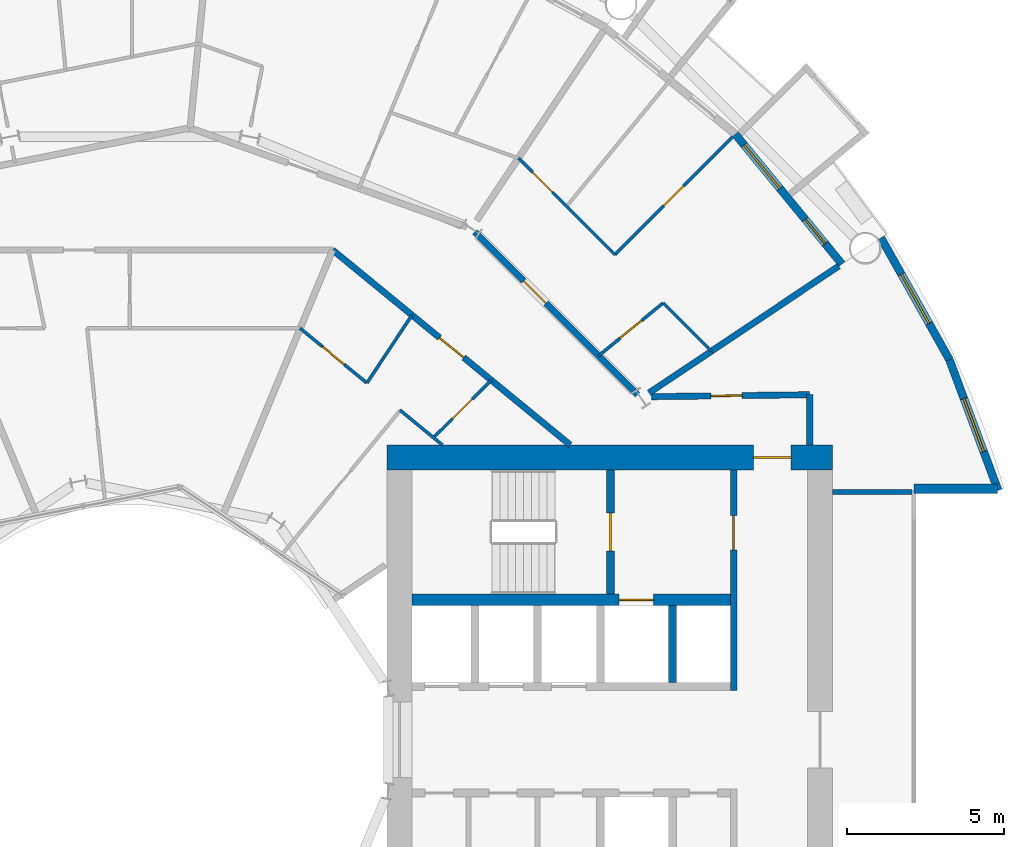
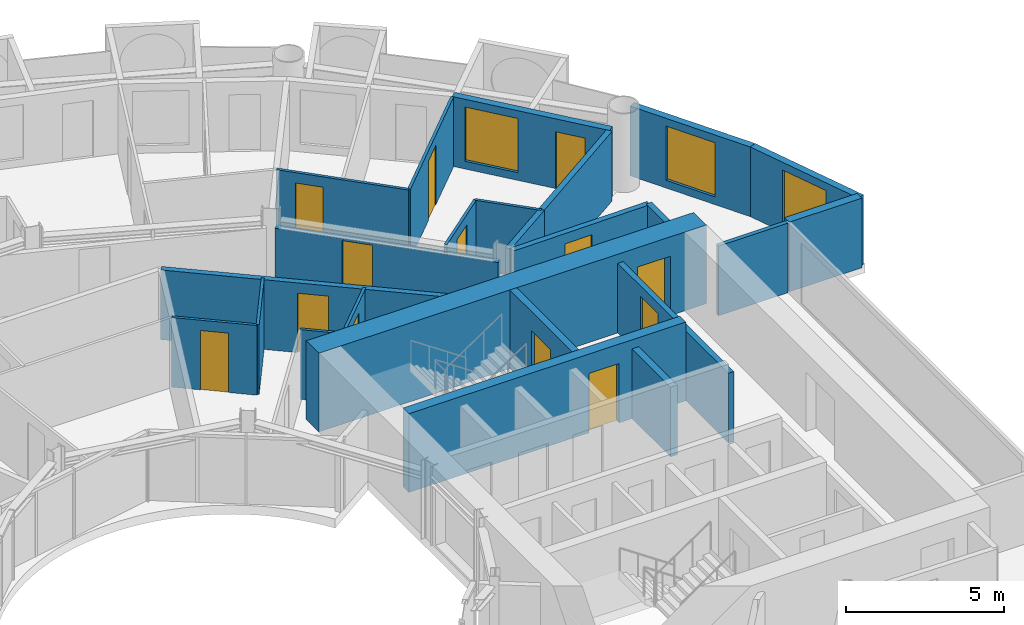
# One storey, part 21 of 26: 24 walls, 13 doors, 3 windows, 16 openings.
"""IFC4 building model written with IfcOpenShell, lengths in metres."""

from ifc_helpers import new_model, si_unit, direction, frame, frame_2d, origin, place, context, subcontext, project, spatial, rectangle, extrude, material, layer, layer_set, type_object, element, fill, save


model = new_model("IFC4")

# Units and contexts
model_context = context("Model", 3, precision=1e-05, world=origin(), true_north=direction((0.0, 1.0)))
body_context = subcontext(model_context, "Body", "Model", "MODEL_VIEW")
ifc_project = project(units=[si_unit("LENGTHUNIT", "METRE"), si_unit("AREAUNIT", "SQUARE_METRE"), si_unit("VOLUMEUNIT", "CUBIC_METRE"), si_unit("PLANEANGLEUNIT", "RADIAN"), si_unit("MASSUNIT", "GRAM", prefix="KILO")], contexts=[model_context])

# Site, building, storey
site_placement = place(None, origin())
site = spatial("IfcSite", under=ifc_project, at=site_placement, CompositionType="ELEMENT")
building_placement = place(site_placement, origin())
building = spatial("IfcBuilding", under=site, at=building_placement, Name="Maasbend Ring Residences", CompositionType="ELEMENT")
storey_placement = place(building_placement, frame((0.0, 0.0, 38.050048828125)))
storey = spatial("IfcBuildingStorey", under=building, at=storey_placement, Name="L10", CompositionType="ELEMENT", Elevation=38.050048828125)

# Wall, opening, door
ifc_material_1 = material(Name="Concrete C70/85", Category="concrete")
ifc_layer_1 = layer(ifc_material_1, 0.25)
ifc_layer_set_1 = layer_set([ifc_layer_1], Name="Concrete C70/85")
wall_type_1 = type_object("IfcWallType", Name="CORE WALL 250 C70/85", PredefinedType="SHEAR", material=ifc_layer_set_1)
wall_1_placement = place(storey_placement, frame((15.324951171875, 4.64990234375, 0.0), z_axis=(0.0, 0.0, 1.0), x_axis=(0.0, 1.0, 0.0)))
wall_1 = element("IfcWall", 1, at=wall_1_placement, inside=storey, type_object=wall_type_1, Name="L10 core E wall STEN", PredefinedType="SHEAR", context=body_context, shape_type="SweptSolid", body=[
    extrude(rectangle(XDim=3.9501953125, YDim=0.25, at=frame_2d((1.97509765625, 0.0))), origin(), (0.0, 0.0, 1.0), 3.050048828125),
])
opening_1_placement = place(wall_1_placement, frame((1.375, 0.0, 0.0)))
opening_1 = element("IfcOpeningElement", 2, at=opening_1_placement, cuts=wall_1, Name="Opening D-E1011", PredefinedType="OPENING", context=body_context, shape_type="SweptSolid", body=[
    extrude(rectangle(XDim=1.199951171875, YDim=2.300048828125, at=frame_2d((0.60009765625, 1.14990234375))), frame((0.0, 0.135009765625, 0.0), z_axis=(0.0, -1.0, 0.0), x_axis=(1.0, 0.0, 0.0)), (0.0, 0.0, 1.0), 0.27001953125),
])
ifc_material_2 = material(Name="Steel, powder coated", Category="steel")
door_type_1 = type_object("IfcDoorType", Name="STAIR DOOR 1200 X 2300 FD60", OperationType="NOTDEFINED", PredefinedType="DOOR", material=ifc_material_2)
door_1_placement = place(opening_1_placement, origin())
door_1 = element("IfcDoor", 3, at=door_1_placement, inside=storey, type_object=door_type_1, Name="Stair door ST-E L10", OperationType="SINGLE_SWING_LEFT", OverallHeight=2.300048828125, OverallWidth=1.199951171875, PredefinedType="DOOR", context=body_context, shape_type="SweptSolid", body=[
    extrude(rectangle(XDim=1.199951171875, YDim=2.300048828125, at=frame_2d((0.60009765625, 1.14990234375))), frame((0.0, 0.02490234375, 0.0), z_axis=(0.0, -1.0, 0.0), x_axis=(1.0, 0.0, 0.0)), (0.0, 0.0, 1.0), 0.050048828125),
])
fill(opening_1, door_1)

ifc_material_3 = material(Name="Concrete C70/85", Category="concrete")
ifc_layer_2 = layer(ifc_material_3, 0.375)
ifc_layer_set_2 = layer_set([ifc_layer_2], Name="Concrete C70/85")
wall_type_2 = type_object("IfcWallType", Name="CORE WALL 375 C70/85", PredefinedType="SHEAR", material=ifc_layer_set_2)
wall_2_placement = place(storey_placement, frame((9.0, 4.46240234375, 0.0), z_axis=(0.0, 0.0, 1.0), x_axis=(1.0, 0.0, 0.0)))
wall_2 = element("IfcWall", 4, at=wall_2_placement, inside=storey, type_object=wall_type_2, Name="L10 core E wall BN", PredefinedType="SHEAR", context=body_context, shape_type="SweptSolid", body=[
    extrude(rectangle(XDim=10.14990234375, YDim=0.375, at=frame_2d((5.074951171875, 0.0))), origin(), (0.0, 0.0, 1.0), 3.050048828125),
])
opening_2_placement = place(wall_2_placement, frame((6.60009765625, 0.0, 0.0)))
opening_2 = element("IfcOpeningElement", 5, at=opening_2_placement, cuts=wall_2, Name="Opening LD-E1004", PredefinedType="OPENING", context=body_context, shape_type="SweptSolid", body=[
    extrude(rectangle(XDim=1.10009765625, YDim=2.300048828125, at=frame_2d((0.550048828125, 1.14990234375))), frame((0.0, 0.197509765625, 0.0), z_axis=(0.0, -1.0, 0.0), x_axis=(1.0, 0.0, 0.0)), (0.0, 0.0, 1.0), 0.39501953125),
])
ifc_material_4 = material(Name="Stainless steel 316", Category="steel")
door_type_2 = type_object("IfcDoorType", Name="LANDING DOOR 1100 X 2300 FD60", OperationType="DOUBLE_DOOR_SLIDING", PredefinedType="DOOR", material=ifc_material_4)
door_2_placement = place(opening_2_placement, origin())
door_2 = element("IfcDoor", 6, at=door_2_placement, inside=storey, type_object=door_type_2, Name="Landing door FF-E L10", OperationType="DOUBLE_DOOR_SLIDING", OverallHeight=2.300048828125, OverallWidth=1.10009765625, PredefinedType="DOOR", context=body_context, shape_type="SweptSolid", body=[
    extrude(rectangle(XDim=1.10009765625, YDim=2.300048828125, at=frame_2d((0.550048828125, 1.14990234375))), frame((0.0, 0.02490234375, 0.0), z_axis=(0.0, -1.0, 0.0), x_axis=(1.0, 0.0, 0.0)), (0.0, 0.0, 1.0), 0.050048828125),
])
fill(opening_2, door_2)

ifc_material_5 = material(Name="Concrete C70/85", Category="concrete")
ifc_layer_3 = layer(ifc_material_5, 0.800048828125)
ifc_layer_set_3 = layer_set([ifc_layer_3], Name="Concrete C70/85")
wall_type_3 = type_object("IfcWallType", Name="CORE WALL 800 C70/85", PredefinedType="SHEAR", material=ifc_layer_set_3)
wall_3_placement = place(storey_placement, frame((22.39990234375, 9.0, 0.0), z_axis=(0.0, 0.0, 1.0), x_axis=(-1.0, 0.0, 0.0)))
wall_3 = element("IfcWall", 7, at=wall_3_placement, inside=storey, type_object=wall_type_3, Name="L10 core E wall PN", PredefinedType="SHEAR", context=body_context, shape_type="SweptSolid", body=[
    extrude(rectangle(XDim=14.199951171875, YDim=0.800048828125, at=frame_2d((7.10009765625, 0.0))), origin(), (0.0, 0.0, 1.0), 3.050048828125),
])
opening_3_placement = place(wall_3_placement, frame((1.324951171875, 0.0, 0.0)))
opening_3 = element("IfcOpeningElement", 8, at=opening_3_placement, cuts=wall_3, Name="Opening D-E1015", PredefinedType="OPENING", context=body_context, shape_type="SweptSolid", body=[
    extrude(rectangle(XDim=1.199951171875, YDim=2.300048828125, at=frame_2d((0.60009765625, 1.14990234375))), frame((0.0, 0.41015625, 0.0), z_axis=(0.0, -1.0, 0.0), x_axis=(1.0, 0.0, 0.0)), (0.0, 0.0, 1.0), 0.820068359375),
])
ifc_material_6 = material(Name="Steel, powder coated", Category="steel")
door_type_3 = type_object("IfcDoorType", Name="CORRIDOR DOOR 1200 X 2300 FD30S", OperationType="NOTDEFINED", PredefinedType="DOOR", material=ifc_material_6)
door_3_placement = place(opening_3_placement, origin())
door_3 = element("IfcDoor", 9, at=door_3_placement, inside=storey, type_object=door_type_3, Name="Corridor door L10", OperationType="SINGLE_SWING_RIGHT", OverallHeight=2.300048828125, OverallWidth=1.199951171875, PredefinedType="DOOR", context=body_context, shape_type="SweptSolid", body=[
    extrude(rectangle(XDim=1.199951171875, YDim=2.300048828125, at=frame_2d((0.60009765625, 1.14990234375))), frame((0.0, 0.02490234375, 0.0), z_axis=(0.0, -1.0, 0.0), x_axis=(1.0, 0.0, 0.0)), (0.0, 0.0, 1.0), 0.050048828125),
])
fill(opening_3, door_3)

# Wall
ifc_material_7 = material(Name="Concrete C30/37", Category="concrete")
ifc_layer_4 = layer(ifc_material_7, 0.199951171875)
ifc_layer_set_4 = layer_set([ifc_layer_4], Name="Concrete C30/37")
wall_type_4 = type_object("IfcWallType", Name="CORRIDOR WALL 200 CONCRETE", PredefinedType="PARTITIONING", material=ifc_layer_set_4)
wall_4_placement = place(storey_placement, frame((21.675048828125, 9.39990234375, 0.0), z_axis=(0.0, 0.0, 1.0), x_axis=(0.0, 1.0, 0.0)))
element("IfcWall", 10, at=wall_4_placement, inside=storey, type_object=wall_type_4, Name="U-L10-w004", PredefinedType="PARTITIONING", context=body_context, shape_type="SweptSolid", body=[
    extrude(rectangle(XDim=1.60009765625, YDim=0.199951171875, at=frame_2d((0.800048828125, 0.0))), origin(), (0.0, 0.0, 1.0), 2.699951171875),
])

# Wall, opening, door
wall_5_placement = place(storey_placement, frame((16.636962890625, 10.93798828125, 0.0), z_axis=(0.0, 0.0, 1.0), x_axis=(0.99992425795, 0.012307654658, 0.0)))
wall_5 = element("IfcWall", 11, at=wall_5_placement, inside=storey, type_object=wall_type_4, Name="U-L10-w094", PredefinedType="PARTITIONING", context=body_context, shape_type="SweptSolid", body=[
    extrude(rectangle(XDim=5.03857421875, YDim=0.199951171875, at=frame_2d((2.519287109375, 0.0))), origin(), (0.0, 0.0, 1.0), 2.699951171875),
])
opening_4_placement = place(wall_5_placement, frame((1.884033203125, 0.0, 0.0)))
opening_4 = element("IfcOpeningElement", 12, at=opening_4_placement, cuts=wall_5, Name="Opening D-1068", PredefinedType="OPENING", context=body_context, shape_type="SweptSolid", body=[
    extrude(rectangle(XDim=1.0, YDim=2.300048828125, at=frame_2d((0.5, 1.14990234375))), frame((0.0, 0.10986328125, 0.0), z_axis=(0.0, -1.0, 0.0), x_axis=(1.0, 0.0, 0.0)), (0.0, 0.0, 1.0), 0.219970703125),
])
ifc_material_8 = material(Name="Timber, painted", Category="wood")
door_type_4 = type_object("IfcDoorType", Name="ROOM DOOR 1000 X 2300", OperationType="NOTDEFINED", PredefinedType="DOOR", material=ifc_material_8)
door_4_placement = place(opening_4_placement, origin())
door_4 = element("IfcDoor", 13, at=door_4_placement, inside=storey, type_object=door_type_4, Name="D-1068", OperationType="SINGLE_SWING_LEFT", OverallHeight=2.300048828125, OverallWidth=1.0, PredefinedType="DOOR", context=body_context, shape_type="SweptSolid", body=[
    extrude(rectangle(XDim=1.0, YDim=2.300048828125, at=frame_2d((0.5, 1.14990234375))), frame((0.0, 0.02490234375, 0.0), z_axis=(0.0, -1.0, 0.0), x_axis=(1.0, 0.0, 0.0)), (0.0, 0.0, 1.0), 0.050048828125),
])
fill(opening_4, door_4)

wall_6_placement = place(storey_placement, frame((6.468994140625, 15.613037109375, 0.0), z_axis=(0.0, 0.0, 1.0), x_axis=(0.77298340166, -0.634426245326, 0.0)))
wall_6 = element("IfcWall", 14, at=wall_6_placement, inside=storey, type_object=wall_type_4, Name="U-L10-w104", PredefinedType="PARTITIONING", context=body_context, shape_type="SweptSolid", body=[
    extrude(rectangle(XDim=9.793212890625, YDim=0.199951171875, at=frame_2d((4.896484375, 0.0))), origin(), (0.0, 0.0, 1.0), 2.699951171875),
])
opening_5_placement = place(wall_6_placement, frame((4.404052734375, 0.0, 0.0)))
opening_5 = element("IfcOpeningElement", 15, at=opening_5_placement, cuts=wall_6, Name="Opening D-1021", PredefinedType="OPENING", context=body_context, shape_type="SweptSolid", body=[
    extrude(rectangle(XDim=1.0, YDim=2.300048828125, at=frame_2d((0.5, 1.14990234375))), frame((0.0, 0.10986328125, 0.0), z_axis=(0.0, -1.0, 0.0), x_axis=(1.0, 0.0, 0.0)), (0.0, 0.0, 1.0), 0.219970703125),
])
ifc_material_9 = material(Name="Timber, fire-rated, painted", Category="wood")
door_type_5 = type_object("IfcDoorType", Name="FLAT ENTRANCE DOOR 1000 X 2300 FIRE-RATED", OperationType="NOTDEFINED", PredefinedType="DOOR", material=ifc_material_9)
door_5_placement = place(opening_5_placement, origin())
door_5 = element("IfcDoor", 16, at=door_5_placement, inside=storey, type_object=door_type_5, Name="D-1021", OperationType="SINGLE_SWING_RIGHT", OverallHeight=2.300048828125, OverallWidth=1.0, PredefinedType="DOOR", context=body_context, shape_type="SweptSolid", body=[
    extrude(rectangle(XDim=1.0, YDim=2.300048828125, at=frame_2d((0.5, 1.14990234375))), frame((0.0, 0.02490234375, 0.0), z_axis=(0.0, -1.0, 0.0), x_axis=(1.0, 0.0, 0.0)), (0.0, 0.0, 1.0), 0.050048828125),
])
fill(opening_5, door_5)

wall_7_placement = place(storey_placement, frame((10.9990234375, 16.18701171875, 0.0), z_axis=(0.0, 0.0, 1.0), x_axis=(0.707106781187, -0.707106781187, 0.0)))
wall_7 = element("IfcWall", 17, at=wall_7_placement, inside=storey, type_object=wall_type_4, Name="U-L10-w108", PredefinedType="PARTITIONING", context=body_context, shape_type="SweptSolid", body=[
    extrude(rectangle(XDim=7.3369140625, YDim=0.199951171875, at=frame_2d((3.66845703125, 0.0))), origin(), (0.0, 0.0, 1.0), 2.3798828125),
])
opening_6_placement = place(wall_7_placement, frame((2.2119140625, 0.0, 0.0)))
opening_6 = element("IfcOpeningElement", 18, at=opening_6_placement, cuts=wall_7, Name="Opening D-1001", PredefinedType="OPENING", context=body_context, shape_type="SweptSolid", body=[
    extrude(rectangle(XDim=1.0, YDim=2.300048828125, at=frame_2d((0.5, 1.14990234375))), frame((0.0, 0.10986328125, 0.0), z_axis=(0.0, -1.0, 0.0), x_axis=(1.0, 0.0, 0.0)), (0.0, 0.0, 1.0), 0.219970703125),
])
door_6_placement = place(opening_6_placement, origin())
door_6 = element("IfcDoor", 19, at=door_6_placement, inside=storey, type_object=door_type_5, Name="D-1001", OperationType="SINGLE_SWING_LEFT", OverallHeight=2.300048828125, OverallWidth=1.0, PredefinedType="DOOR", context=body_context, shape_type="SweptSolid", body=[
    extrude(rectangle(XDim=1.0, YDim=2.300048828125, at=frame_2d((0.5, 1.14990234375))), frame((0.0, 0.02490234375, 0.0), z_axis=(0.0, -1.0, 0.0), x_axis=(1.0, 0.0, 0.0)), (0.0, 0.0, 1.0), 0.050048828125),
])
fill(opening_6, door_6)

# Wall, openings, door, window
ifc_material_10 = material(Name="Aluminium clad insulated panel", Category="aluminium")
ifc_layer_5 = layer(ifc_material_10, 0.25)
ifc_layer_set_5 = layer_set([ifc_layer_5], Name="EW-GL")
wall_type_5 = type_object("IfcWallType", Name="EW-GL", PredefinedType="SOLIDWALL", material=ifc_layer_set_5)
wall_8_placement = place(storey_placement, frame((22.698974609375, 15.1669921875, 0.0), z_axis=(0.0, 0.0, 1.0), x_axis=(-0.634382322723, 0.773019449054, 0.0)))
wall_8 = element("IfcWall", 20, at=wall_8_placement, inside=storey, type_object=wall_type_5, Name="External wall N01", PredefinedType="SOLIDWALL", context=body_context, shape_type="SweptSolid", body=[
    extrude(rectangle(XDim=5.351806640625, YDim=0.25, at=frame_2d((2.67578125, 0.0))), origin(), (0.0, 0.0, 1.0), 2.699951171875),
])
opening_7_placement = place(wall_8_placement, frame((0.841064453125, 0.0, 0.0)))
opening_7 = element("IfcOpeningElement", 21, at=opening_7_placement, cuts=wall_8, Name="Opening D-LG", PredefinedType="OPENING", context=body_context, shape_type="SweptSolid", body=[
    extrude(rectangle(XDim=1.0, YDim=2.199951171875, at=frame_2d((0.5, 1.10009765625))), frame((0.0, 0.135009765625, 0.0), z_axis=(0.0, -1.0, 0.0), x_axis=(1.0, 0.0, 0.0)), (0.0, 0.0, 1.0), 0.27001953125),
])
opening_8_placement = place(wall_8_placement, frame((3.110595703125, 0.0, 0.300048828125)))
opening_8 = element("IfcOpeningElement", 22, at=opening_8_placement, cuts=wall_8, Name="Opening W-BX", PredefinedType="OPENING", context=body_context, shape_type="SweptSolid", body=[
    extrude(rectangle(XDim=1.800048828125, YDim=2.10009765625, at=frame_2d((0.89990234375, 1.050048828125))), frame((0.0, 0.135009765625, 0.0), z_axis=(0.0, -1.0, 0.0), x_axis=(1.0, 0.0, 0.0)), (0.0, 0.0, 1.0), 0.27001953125),
])
ifc_material_11 = material(Name="Aluminium and clear glass", Category="aluminium")
door_type_6 = type_object("IfcDoorType", Name="D-LG", OperationType="SINGLE_SWING_LEFT", PredefinedType="DOOR", material=ifc_material_11)
door_7_placement = place(opening_7_placement, origin())
door_7 = element("IfcDoor", 23, at=door_7_placement, inside=storey, type_object=door_type_6, Name="Loggia door N01", OperationType="SINGLE_SWING_LEFT", OverallHeight=2.199951171875, OverallWidth=1.0, PredefinedType="DOOR", context=body_context, shape_type="SweptSolid", body=[
    extrude(rectangle(XDim=1.0, YDim=2.199951171875, at=frame_2d((0.5, 1.10009765625))), frame((0.0, 0.02490234375, 0.0), z_axis=(0.0, -1.0, 0.0), x_axis=(1.0, 0.0, 0.0)), (0.0, 0.0, 1.0), 0.050048828125),
])
fill(opening_7, door_7)
ifc_material_12 = material(Name="Aluminium and clear glass", Category="aluminium")
window_type = type_object("IfcWindowType", Name="W-BX", PartitioningType="DOUBLE_PANEL_VERTICAL", PredefinedType="WINDOW", material=ifc_material_12)
window_1_placement = place(opening_8_placement, origin())
window_1 = element("IfcWindow", 24, at=window_1_placement, inside=storey, type_object=window_type, Name="Window N02 room to box", OverallHeight=2.10009765625, OverallWidth=1.800048828125, PartitioningType="SINGLE_PANEL", PredefinedType="WINDOW", context=body_context, shape_type="SweptSolid", body=[
    extrude(rectangle(XDim=1.800048828125, YDim=2.10009765625, at=frame_2d((0.89990234375, 1.050048828125))), frame((0.0, 0.030029296875, 0.0), z_axis=(0.0, -1.0, 0.0), x_axis=(1.0, 0.0, 0.0)), (0.0, 0.0, 1.0), 0.06005859375),
])
fill(opening_8, window_1)

# Wall, opening, window
ifc_material_13 = material(Name="Aluminium clad insulated panel", Category="aluminium")
ifc_layer_6 = layer(ifc_material_13, 0.25)
ifc_layer_set_6 = layer_set([ifc_layer_6], Name="EW-HORN")
wall_type_6 = type_object("IfcWallType", Name="EW-HORN", PredefinedType="SOLIDWALL", material=ifc_layer_set_6)
wall_9_placement = place(storey_placement, frame((27.681884765625, 7.945068359375, 0.0), z_axis=(0.0, 0.0, 1.0), x_axis=(-0.349247811493, 0.937030397675, 0.0)))
wall_9 = element("IfcWall", 25, at=wall_9_placement, inside=storey, type_object=wall_type_6, Name="Horn wall 1.1", PredefinedType="SOLIDWALL", context=body_context, shape_type="SweptSolid", body=[
    extrude(rectangle(XDim=4.4521484375, YDim=0.25, at=frame_2d((2.22607421875, 0.0))), origin(), (0.0, 0.0, 1.0), 2.699951171875),
])
opening_9_placement = place(wall_9_placement, frame((1.32666015625, 0.0, 0.300048828125)))
opening_9 = element("IfcOpeningElement", 26, at=opening_9_placement, cuts=wall_9, Name="Opening W-BX", PredefinedType="OPENING", context=body_context, shape_type="SweptSolid", body=[
    extrude(rectangle(XDim=1.800048828125, YDim=2.10009765625, at=frame_2d((0.89990234375, 1.050048828125))), frame((0.0, 0.135009765625, 0.0), z_axis=(0.0, -1.0, 0.0), x_axis=(1.0, 0.0, 0.0)), (0.0, 0.0, 1.0), 0.27001953125),
])
window_2_placement = place(opening_9_placement, origin())
window_2 = element("IfcWindow", 27, at=window_2_placement, inside=storey, type_object=window_type, Name="Horn window 1.1", OverallHeight=2.10009765625, OverallWidth=1.800048828125, PartitioningType="SINGLE_PANEL", PredefinedType="WINDOW", context=body_context, shape_type="SweptSolid", body=[
    extrude(rectangle(XDim=1.800048828125, YDim=2.10009765625, at=frame_2d((0.89990234375, 1.050048828125))), frame((0.0, 0.030029296875, 0.0), z_axis=(0.0, -1.0, 0.0), x_axis=(1.0, 0.0, 0.0)), (0.0, 0.0, 1.0), 0.06005859375),
])
fill(opening_9, window_2)

wall_10_placement = place(storey_placement, frame((26.126953125, 12.116943359375, 0.0), z_axis=(0.0, 0.0, 1.0), x_axis=(-0.489696356642, 0.871893042919, 0.0)))
wall_10 = element("IfcWall", 28, at=wall_10_placement, inside=storey, type_object=wall_type_6, Name="Horn wall 1.2", PredefinedType="SOLIDWALL", context=body_context, shape_type="SweptSolid", body=[
    extrude(rectangle(XDim=4.45361328125, YDim=0.25, at=frame_2d((2.226806640625, 0.0))), origin(), (0.0, 0.0, 1.0), 2.699951171875),
])
opening_10_placement = place(wall_10_placement, frame((1.32666015625, 0.0, 0.300048828125)))
opening_10 = element("IfcOpeningElement", 29, at=opening_10_placement, cuts=wall_10, Name="Opening W-BX", PredefinedType="OPENING", context=body_context, shape_type="SweptSolid", body=[
    extrude(rectangle(XDim=1.800048828125, YDim=2.10009765625, at=frame_2d((0.89990234375, 1.050048828125))), frame((0.0, 0.135009765625, 0.0), z_axis=(0.0, -1.0, 0.0), x_axis=(1.0, 0.0, 0.0)), (0.0, 0.0, 1.0), 0.27001953125),
])
window_3_placement = place(opening_10_placement, origin())
window_3 = element("IfcWindow", 30, at=window_3_placement, inside=storey, type_object=window_type, Name="Horn window 1.2", OverallHeight=2.10009765625, OverallWidth=1.800048828125, PartitioningType="SINGLE_PANEL", PredefinedType="WINDOW", context=body_context, shape_type="SweptSolid", body=[
    extrude(rectangle(XDim=1.800048828125, YDim=2.10009765625, at=frame_2d((0.89990234375, 1.050048828125))), frame((0.0, 0.030029296875, 0.0), z_axis=(0.0, -1.0, 0.0), x_axis=(1.0, 0.0, 0.0)), (0.0, 0.0, 1.0), 0.06005859375),
])
fill(opening_10, window_3)

# Walls
ifc_material_14 = material(Name="Aluminium clad insulated panel", Category="aluminium")
ifc_layer_7 = layer(ifc_material_14, 0.300048828125)
ifc_layer_set_7 = layer_set([ifc_layer_7], Name="EW-RET")
wall_type_7 = type_object("IfcWallType", Name="EW-RET", PredefinedType="SOLIDWALL", material=ifc_layer_set_7)
wall_11_placement = place(storey_placement, frame((25.0, 8.0, 0.0), z_axis=(0.0, 0.0, 1.0), x_axis=(1.0, 0.0, 0.0)))
element("IfcWall", 31, at=wall_11_placement, inside=storey, type_object=wall_type_7, Name="Notch return wall east north", PredefinedType="SOLIDWALL", context=body_context, shape_type="SweptSolid", body=[
    extrude(rectangle(XDim=2.6669921875, YDim=0.300048828125, at=frame_2d((1.33349609375, 0.0))), origin(), (0.0, 0.0, 1.0), 2.699951171875),
])
ifc_material_15 = material(Name="Gypsum board on steel studs", Category="steel")
ifc_layer_8 = layer(ifc_material_15, 0.10009765625)
ifc_layer_set_8 = layer_set([ifc_layer_8], Name="PARTITION 100 GYPSUM")
wall_type_8 = type_object("IfcWallType", Name="PARTITION 100 GYPSUM", PredefinedType="PARTITIONING", material=ifc_layer_set_8)
wall_12_placement = place(storey_placement, frame((7.56005859375, 11.375, 0.0), z_axis=(0.0, 0.0, 1.0), x_axis=(0.553354377247, 0.83294593653, 0.0)))
element("IfcWall", 32, at=wall_12_placement, inside=storey, type_object=wall_type_8, Name="U-L10-w076", PredefinedType="PARTITIONING", context=body_context, shape_type="SweptSolid", body=[
    extrude(rectangle(XDim=2.596923828125, YDim=0.10009765625, at=frame_2d((1.29833984375, 0.0))), origin(), (0.0, 0.0, 1.0), 2.699951171875),
])

# Wall, opening, door
wall_13_placement = place(storey_placement, frame((9.68310546875, 9.632080078125, 0.0), z_axis=(0.0, 0.0, 1.0), x_axis=(0.708796844581, 0.705412668665, 0.0)))
wall_13 = element("IfcWall", 33, at=wall_13_placement, inside=storey, type_object=wall_type_8, Name="U-L10-w079", PredefinedType="PARTITIONING", context=body_context, shape_type="SweptSolid", body=[
    extrude(rectangle(XDim=2.59716796875, YDim=0.10009765625, at=frame_2d((1.298583984375, 0.0))), origin(), (0.0, 0.0, 1.0), 2.699951171875),
])
opening_11_placement = place(wall_13_placement, frame((0.84912109375, 0.0, 0.0)))
opening_11 = element("IfcOpeningElement", 34, at=opening_11_placement, cuts=wall_13, Name="Opening D-1023", PredefinedType="OPENING", context=body_context, shape_type="SweptSolid", body=[
    extrude(rectangle(XDim=0.89990234375, YDim=2.300048828125, at=frame_2d((0.449951171875, 1.14990234375))), frame((0.0, 0.06005859375, 0.0), z_axis=(0.0, -1.0, 0.0), x_axis=(1.0, 0.0, 0.0)), (0.0, 0.0, 1.0), 0.1201171875),
])
ifc_material_16 = material(Name="Timber, painted", Category="wood")
door_type_7 = type_object("IfcDoorType", Name="INTERNAL DOOR 900 X 2300", OperationType="NOTDEFINED", PredefinedType="DOOR", material=ifc_material_16)
door_8_placement = place(opening_11_placement, origin())
door_8 = element("IfcDoor", 35, at=door_8_placement, inside=storey, type_object=door_type_7, Name="D-1023", OperationType="SINGLE_SWING_LEFT", OverallHeight=2.300048828125, OverallWidth=0.89990234375, PredefinedType="DOOR", context=body_context, shape_type="SweptSolid", body=[
    extrude(rectangle(XDim=0.89990234375, YDim=2.300048828125, at=frame_2d((0.449951171875, 1.14990234375))), frame((0.0, 0.02490234375, 0.0), z_axis=(0.0, -1.0, 0.0), x_axis=(1.0, 0.0, 0.0)), (0.0, 0.0, 1.0), 0.050048828125),
])
fill(opening_11, door_8)

wall_14_placement = place(storey_placement, frame((14.945068359375, 12.240966796875, 0.0), z_axis=(0.0, 0.0, 1.0), x_axis=(0.77367517848, 0.633582447834, 0.0)))
wall_14 = element("IfcWall", 36, at=wall_14_placement, inside=storey, type_object=wall_type_8, Name="U-L10-w087", PredefinedType="PARTITIONING", context=body_context, shape_type="SweptSolid", body=[
    extrude(rectangle(XDim=2.6611328125, YDim=0.10009765625, at=frame_2d((1.33056640625, 0.0))), origin(), (0.0, 0.0, 1.0), 2.699951171875),
])
opening_12_placement = place(wall_14_placement, frame((0.881103515625, 0.0, 0.0)))
opening_12 = element("IfcOpeningElement", 37, at=opening_12_placement, cuts=wall_14, Name="Opening D-1002", PredefinedType="OPENING", context=body_context, shape_type="SweptSolid", body=[
    extrude(rectangle(XDim=0.89990234375, YDim=2.300048828125, at=frame_2d((0.449951171875, 1.14990234375))), frame((0.0, 0.06005859375, 0.0), z_axis=(0.0, -1.0, 0.0), x_axis=(1.0, 0.0, 0.0)), (0.0, 0.0, 1.0), 0.1201171875),
])
door_9_placement = place(opening_12_placement, origin())
door_9 = element("IfcDoor", 38, at=door_9_placement, inside=storey, type_object=door_type_7, Name="D-1002", OperationType="SINGLE_SWING_LEFT", OverallHeight=2.300048828125, OverallWidth=0.89990234375, PredefinedType="DOOR", context=body_context, shape_type="SweptSolid", body=[
    extrude(rectangle(XDim=0.89990234375, YDim=2.300048828125, at=frame_2d((0.449951171875, 1.14990234375))), frame((0.0, 0.02490234375, 0.0), z_axis=(0.0, -1.0, 0.0), x_axis=(1.0, 0.0, 0.0)), (0.0, 0.0, 1.0), 0.050048828125),
])
fill(opening_12, door_9)

wall_15_placement = place(storey_placement, frame((15.465087890625, 15.465087890625, 0.0), z_axis=(0.0, 0.0, 1.0), x_axis=(0.707106781187, 0.707106781187, 0.0)))
wall_15 = element("IfcWall", 39, at=wall_15_placement, inside=storey, type_object=wall_type_8, Name="U-L10-w088", PredefinedType="PARTITIONING", context=body_context, shape_type="SweptSolid", body=[
    extrude(rectangle(XDim=5.3046875, YDim=0.10009765625, at=frame_2d((2.65234375, 0.0))), origin(), (0.0, 0.0, 1.0), 2.699951171875),
])
opening_13_placement = place(wall_15_placement, frame((2.201904296875, 0.0, 0.0)))
opening_13 = element("IfcOpeningElement", 40, at=opening_13_placement, cuts=wall_15, Name="Opening D-1003", PredefinedType="OPENING", context=body_context, shape_type="SweptSolid", body=[
    extrude(rectangle(XDim=0.89990234375, YDim=2.300048828125, at=frame_2d((0.449951171875, 1.14990234375))), frame((0.0, 0.06005859375, 0.0), z_axis=(0.0, -1.0, 0.0), x_axis=(1.0, 0.0, 0.0)), (0.0, 0.0, 1.0), 0.1201171875),
])
door_10_placement = place(opening_13_placement, origin())
door_10 = element("IfcDoor", 41, at=door_10_placement, inside=storey, type_object=door_type_7, Name="D-1003", OperationType="SINGLE_SWING_RIGHT", OverallHeight=2.300048828125, OverallWidth=0.89990234375, PredefinedType="DOOR", context=body_context, shape_type="SweptSolid", body=[
    extrude(rectangle(XDim=0.89990234375, YDim=2.300048828125, at=frame_2d((0.449951171875, 1.14990234375))), frame((0.0, 0.02490234375, 0.0), z_axis=(0.0, -1.0, 0.0), x_axis=(1.0, 0.0, 0.0)), (0.0, 0.0, 1.0), 0.050048828125),
])
fill(opening_13, door_10)

wall_16_placement = place(storey_placement, frame((5.427001953125, 13.12109375, 0.0), z_axis=(0.0, 0.0, 1.0), x_axis=(0.773323547924, -0.634011585246, 0.0)))
wall_16 = element("IfcWall", 42, at=wall_16_placement, inside=storey, type_object=wall_type_8, Name="U-L10-w100", PredefinedType="PARTITIONING", context=body_context, shape_type="SweptSolid", body=[
    extrude(rectangle(XDim=2.747802734375, YDim=0.10009765625, at=frame_2d((1.3740234375, 0.0))), origin(), (0.0, 0.0, 1.0), 2.699951171875),
])
opening_14_placement = place(wall_16_placement, frame((0.929931640625, 0.0, 0.0)))
opening_14 = element("IfcOpeningElement", 43, at=opening_14_placement, cuts=wall_16, Name="Opening D-1022", PredefinedType="OPENING", context=body_context, shape_type="SweptSolid", body=[
    extrude(rectangle(XDim=0.89990234375, YDim=2.300048828125, at=frame_2d((0.449951171875, 1.14990234375))), frame((0.0, 0.06005859375, 0.0), z_axis=(0.0, -1.0, 0.0), x_axis=(1.0, 0.0, 0.0)), (0.0, 0.0, 1.0), 0.1201171875),
])
door_11_placement = place(opening_14_placement, origin())
door_11 = element("IfcDoor", 44, at=door_11_placement, inside=storey, type_object=door_type_7, Name="D-1022", OperationType="SINGLE_SWING_RIGHT", OverallHeight=2.300048828125, OverallWidth=0.89990234375, PredefinedType="DOOR", context=body_context, shape_type="SweptSolid", body=[
    extrude(rectangle(XDim=0.89990234375, YDim=2.300048828125, at=frame_2d((0.449951171875, 1.14990234375))), frame((0.0, 0.02490234375, 0.0), z_axis=(0.0, -1.0, 0.0), x_axis=(1.0, 0.0, 0.0)), (0.0, 0.0, 1.0), 0.050048828125),
])
fill(opening_14, door_11)

# Wall
wall_17_placement = place(storey_placement, frame((8.613037109375, 10.509033203125, 0.0), z_axis=(0.0, 0.0, 1.0), x_axis=(0.773141825369, -0.634233173104, 0.0)))
element("IfcWall", 45, at=wall_17_placement, inside=storey, type_object=wall_type_8, Name="U-L10-w101", PredefinedType="PARTITIONING", context=body_context, shape_type="SweptSolid", body=[
    extrude(rectangle(XDim=1.748779296875, YDim=0.10009765625, at=frame_2d((0.87451171875, 0.0))), origin(), (0.0, 0.0, 1.0), 2.699951171875),
])

# Wall, opening, door
wall_18_placement = place(storey_placement, frame((12.388916015625, 18.5419921875, 0.0), z_axis=(0.0, 0.0, 1.0), x_axis=(0.707022606819, -0.707190945535, 0.0)))
wall_18 = element("IfcWall", 46, at=wall_18_placement, inside=storey, type_object=wall_type_8, Name="U-L10-w117", PredefinedType="PARTITIONING", context=body_context, shape_type="SweptSolid", body=[
    extrude(rectangle(XDim=4.350830078125, YDim=0.10009765625, at=frame_2d((2.17529296875, 0.0))), origin(), (0.0, 0.0, 1.0), 2.699951171875),
])
opening_15_placement = place(wall_18_placement, frame((0.638916015625, 0.0, 0.0)))
opening_15 = element("IfcOpeningElement", 47, at=opening_15_placement, cuts=wall_18, Name="Opening D-1004", PredefinedType="OPENING", context=body_context, shape_type="SweptSolid", body=[
    extrude(rectangle(XDim=0.89990234375, YDim=2.300048828125, at=frame_2d((0.449951171875, 1.14990234375))), frame((0.0, 0.06005859375, 0.0), z_axis=(0.0, -1.0, 0.0), x_axis=(1.0, 0.0, 0.0)), (0.0, 0.0, 1.0), 0.1201171875),
])
door_12_placement = place(opening_15_placement, origin())
door_12 = element("IfcDoor", 48, at=door_12_placement, inside=storey, type_object=door_type_7, Name="D-1004", OperationType="SINGLE_SWING_LEFT", OverallHeight=2.300048828125, OverallWidth=0.89990234375, PredefinedType="DOOR", context=body_context, shape_type="SweptSolid", body=[
    extrude(rectangle(XDim=0.89990234375, YDim=2.300048828125, at=frame_2d((0.449951171875, 1.14990234375))), frame((0.0, 0.02490234375, 0.0), z_axis=(0.0, -1.0, 0.0), x_axis=(1.0, 0.0, 0.0)), (0.0, 0.0, 1.0), 0.050048828125),
])
fill(opening_15, door_12)

# Walls
wall_19_placement = place(storey_placement, frame((17.006103515625, 13.924072265625, 0.0), z_axis=(0.0, 0.0, 1.0), x_axis=(0.706826194425, -0.707387256653, 0.0)))
element("IfcWall", 49, at=wall_19_placement, inside=storey, type_object=wall_type_8, Name="U-L10-w118", PredefinedType="PARTITIONING", context=body_context, shape_type="SweptSolid", body=[
    extrude(rectangle(XDim=2.17578125, YDim=0.10009765625, at=frame_2d((1.087890625, 0.0))), origin(), (0.0, 0.0, 1.0), 2.699951171875),
])
ifc_material_17 = material(Name="Gypsum board on steel studs", Category="steel")
ifc_layer_9 = layer(ifc_material_17, 0.14990234375)
ifc_layer_set_9 = layer_set([ifc_layer_9], Name="PARTITION 150 EI 60")
wall_type_9 = type_object("IfcWallType", Name="PARTITION 150 EI 60", PredefinedType="PARTITIONING", material=ifc_layer_set_9)
wall_20_placement = place(storey_placement, frame((22.39990234375, 7.89990234375, 0.0), z_axis=(0.0, 0.0, 1.0), x_axis=(1.0, 0.0, 0.0)))
element("IfcWall", 50, at=wall_20_placement, inside=storey, type_object=wall_type_9, Name="L10 core E wall CITN", PredefinedType="PARTITIONING", context=body_context, shape_type="SweptSolid", body=[
    extrude(rectangle(XDim=2.5400390625, YDim=0.14990234375, at=frame_2d((1.27001953125, 0.0))), origin(), (0.0, 0.0, 1.0), 2.699951171875),
])
ifc_material_18 = material(Name="Concrete C30/37", Category="concrete")
ifc_layer_10 = layer(ifc_material_18, 0.199951171875)
ifc_layer_set_10 = layer_set([ifc_layer_10], Name="Concrete C30/37")
wall_type_10 = type_object("IfcWallType", Name="PARTY WALL 200 CONCRETE", PredefinedType="PARTITIONING", material=ifc_layer_set_10)
wall_21_placement = place(storey_placement, frame((18.5419921875, 12.388916015625, 0.0), z_axis=(0.0, 0.0, 1.0), x_axis=(0.831387096605, 0.55569370664, 0.0)))
element("IfcWall", 51, at=wall_21_placement, inside=storey, type_object=wall_type_10, Name="U-L10-w090", PredefinedType="PARTITIONING", context=body_context, shape_type="SweptSolid", body=[
    extrude(rectangle(XDim=4.875, YDim=0.199951171875, at=frame_2d((2.4375, 0.0))), origin(), (0.0, 0.0, 1.0), 2.699951171875),
])
wall_22_placement = place(storey_placement, frame((16.554931640625, 11.06103515625, 0.0), z_axis=(0.0, 0.0, 1.0), x_axis=(0.832066006555, 0.554676627176, 0.0)))
element("IfcWall", 52, at=wall_22_placement, inside=storey, type_object=wall_type_10, Name="U-L10-w091", PredefinedType="PARTITIONING", context=body_context, shape_type="SweptSolid", body=[
    extrude(rectangle(XDim=2.390380859375, YDim=0.199951171875, at=frame_2d((1.1953125, 0.0))), origin(), (0.0, 0.0, 1.0), 2.699951171875),
])

# Wall, opening, door
ifc_material_19 = material(Name="Concrete C30/37", Category="concrete")
ifc_layer_11 = layer(ifc_material_19, 0.199951171875)
ifc_layer_set_11 = layer_set([ifc_layer_11], Name="Concrete C30/37")
wall_type_11 = type_object("IfcWallType", Name="SHAFT WALL 200 EI 120", PredefinedType="SOLIDWALL", material=ifc_layer_set_11)
wall_23_placement = place(storey_placement, frame((19.25, 1.574951171875, 0.0), z_axis=(0.0, 0.0, 1.0), x_axis=(0.0, 1.0, 0.0)))
wall_23 = element("IfcWall", 53, at=wall_23_placement, inside=storey, type_object=wall_type_11, Name="L10 core E wall ENDN", PredefinedType="SOLIDWALL", context=body_context, shape_type="SweptSolid", body=[
    extrude(rectangle(XDim=7.025146484375, YDim=0.199951171875, at=frame_2d((3.5126953125, 0.0))), origin(), (0.0, 0.0, 1.0), 2.699951171875),
])
opening_16_placement = place(wall_23_placement, frame((4.47509765625, 0.0, 0.0)))
opening_16 = element("IfcOpeningElement", 54, at=opening_16_placement, cuts=wall_23, Name="Opening D-E1013", PredefinedType="OPENING", context=body_context, shape_type="SweptSolid", body=[
    extrude(rectangle(XDim=1.10009765625, YDim=2.300048828125, at=frame_2d((0.550048828125, 1.14990234375))), frame((0.0, 0.10986328125, 0.0), z_axis=(0.0, -1.0, 0.0), x_axis=(1.0, 0.0, 0.0)), (0.0, 0.0, 1.0), 0.219970703125),
])
ifc_material_20 = material(Name="Steel, powder coated", Category="steel")
door_type_8 = type_object("IfcDoorType", Name="LOBBY DOOR 1100 X 2300 FD60", OperationType="NOTDEFINED", PredefinedType="DOOR", material=ifc_material_20)
door_13_placement = place(opening_16_placement, origin())
door_13 = element("IfcDoor", 55, at=door_13_placement, inside=storey, type_object=door_type_8, Name="Lobby door L10", OperationType="SINGLE_SWING_LEFT", OverallHeight=2.300048828125, OverallWidth=1.10009765625, PredefinedType="DOOR", context=body_context, shape_type="SweptSolid", body=[
    extrude(rectangle(XDim=1.10009765625, YDim=2.300048828125, at=frame_2d((0.550048828125, 1.14990234375))), frame((0.0, 0.02490234375, 0.0), z_axis=(0.0, -1.0, 0.0), x_axis=(1.0, 0.0, 0.0)), (0.0, 0.0, 1.0), 0.050048828125),
])
fill(opening_16, door_13)

# Wall
ifc_material_21 = material(Name="Concrete C30/37", Category="concrete")
ifc_layer_12 = layer(ifc_material_21, 0.25)
ifc_layer_set_12 = layer_set([ifc_layer_12], Name="Concrete C30/37")
wall_type_12 = type_object("IfcWallType", Name="SHAFT WALL 250 EI 120", PredefinedType="SOLIDWALL", material=ifc_layer_set_12)
wall_24_placement = place(storey_placement, frame((17.300048828125, 1.824951171875, 0.0), z_axis=(0.0, 0.0, 1.0), x_axis=(0.0, 1.0, 0.0)))
element("IfcWall", 56, at=wall_24_placement, inside=storey, type_object=wall_type_12, Name="L10 core E wall D173N", PredefinedType="SOLIDWALL", context=body_context, shape_type="SweptSolid", body=[
    extrude(rectangle(XDim=2.449951171875, YDim=0.25, at=frame_2d((1.22509765625, 0.0))), origin(), (0.0, 0.0, 1.0), 2.699951171875),
])

save(model, "model.ifc")
